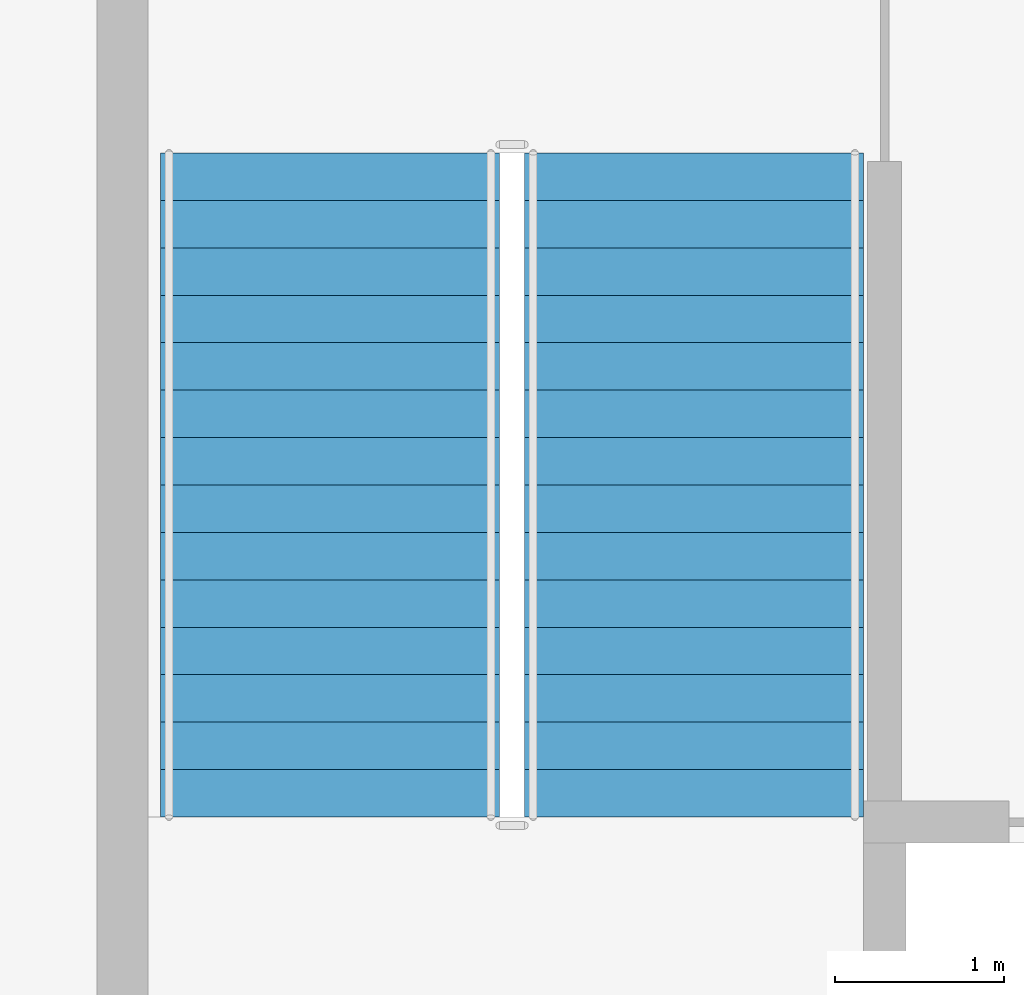
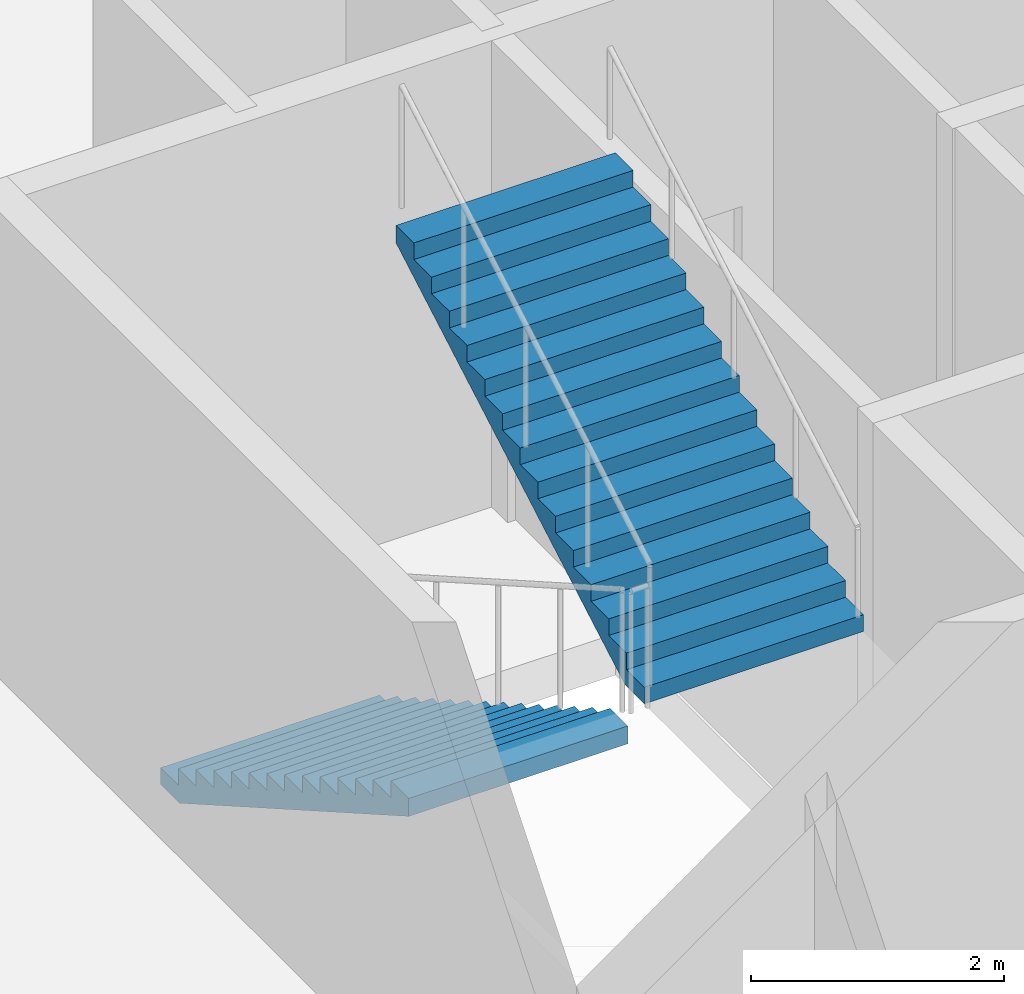
# One storey, part 4 of 9: 2 stair flights, 1 element without a shape of its own.
"""IFC4 building model written with IfcOpenShell, lengths in metres."""

from ifc_helpers import new_model, si_unit, direction, frame, origin, place, context, subcontext, project, spatial, polygons, material, type_object, element, aggregate, save


model = new_model("IFC4")

# Units and contexts
model_context = context("Model", 3, precision=1e-05, world=origin(), true_north=direction((0.0, 1.0)))
body_context = subcontext(model_context, "Body", "Model", "MODEL_VIEW")
ifc_project = project(units=[si_unit("LENGTHUNIT", "METRE"), si_unit("AREAUNIT", "SQUARE_METRE"), si_unit("VOLUMEUNIT", "CUBIC_METRE"), si_unit("PLANEANGLEUNIT", "RADIAN"), si_unit("MASSUNIT", "GRAM", prefix="KILO")], contexts=[model_context])

# Site, building, storey
site_placement = place(None, origin())
site = spatial("IfcSite", under=ifc_project, at=site_placement, CompositionType="ELEMENT")
building_placement = place(site_placement, origin())
building = spatial("IfcBuilding", under=site, at=building_placement, Name="Caravel Reach Hotel and Residences", CompositionType="ELEMENT")
storey_placement = place(building_placement, frame((0.0, 0.0, 278.60009765625)))
storey = spatial("IfcBuildingStorey", under=building, at=storey_placement, Name="L71", CompositionType="ELEMENT", Elevation=278.60009765625)

# Stair, stair flights
ifc_material_1 = material(Name="Concrete C40", Category="concrete")
stair_type = type_object("IfcStairType", Name="Core stair", PredefinedType="HALF_TURN_STAIR", material=ifc_material_1)
stair_placement = place(storey_placement, origin())
stair = element("IfcStair", 1, at=stair_placement, inside=storey, type_object=stair_type, Name="L71 Exit stair A", PredefinedType="HALF_TURN_STAIR")
ifc_material_2 = material(Name="Concrete C40", Category="concrete")
stair_flight_type = type_object("IfcStairFlightType", Name="Core stair flight", PredefinedType="STRAIGHT", material=ifc_material_2)
stair_flight_1_placement = place(storey_placement, frame((19.22509765625, 29.35009765625, 0.0), z_axis=(0.0, 0.0, 1.0), x_axis=(0.0, -1.0, 0.0)))
stair_flight_1 = element("IfcStairFlight", 2, at=stair_flight_1_placement, type_object=stair_flight_type, Name="ST-A flight 1", NumberOfRisers=15, NumberOfTreads=14, PredefinedType="STRAIGHT", RiserHeight=0.16, TreadLength=0.28, context=body_context, shape_type="Tessellation", body=[
    polygons([(0.30213783309663755, 1.0, 0.0), (0.30213783309663755, 0.6666666666666667, 0.0), (0.30213783309663755, 0.33333333333333337, 0.0), (0.30213783309663755, 0.0, 0.0), (0.30213783309663755, -0.33333333333333326, 0.0), (0.30213783309663755, -0.6666666666666667, 0.0), (0.30213783309663755, -1.0, 0.0), (3.9210000000000003, 1.0, 2.0673498096590643), (3.9210000000000003, 0.6666666666666667, 2.0673498096590643), (3.9210000000000003, 0.33333333333333337, 2.0673498096590643), (3.9210000000000003, 0.0, 2.0673498096590643), (3.9210000000000003, -0.33333333333333326, 2.0673498096590643), (3.9210000000000003, -0.6666666666666667, 2.0673498096590643), (3.9210000000000003, -1.0, 2.0673498096590643), (3.9210000000000003, 1.0, 2.24), (3.9210000000000003, 0.6666666666666667, 2.24), (3.9210000000000003, 0.33333333333333337, 2.24), (3.9210000000000003, 0.0, 2.24), (3.9210000000000003, -0.33333333333333326, 2.24), (3.9210000000000003, -0.6666666666666667, 2.24), (3.9210000000000003, -1.0, 2.24), (3.6400000000000006, 1.0, 2.24), (3.6400000000000006, 0.6666666666666667, 2.24), (3.6400000000000006, 0.33333333333333337, 2.24), (3.6400000000000006, 0.0, 2.24), (3.6400000000000006, -0.33333333333333326, 2.24), (3.6400000000000006, -0.6666666666666667, 2.24), (3.6400000000000006, -1.0, 2.24), (3.6400000000000006, 1.0, 2.08), (3.6400000000000006, 0.6666666666666667, 2.08), (3.6400000000000006, 0.33333333333333337, 2.08), (3.6400000000000006, 0.0, 2.08), (3.6400000000000006, -0.33333333333333326, 2.08), (3.6400000000000006, -0.6666666666666667, 2.08), (3.6400000000000006, -1.0, 2.08), (3.3600000000000003, 1.0, 2.08), (3.3600000000000003, 0.6666666666666667, 2.08), (3.3600000000000003, 0.33333333333333337, 2.08), (3.3600000000000003, 0.0, 2.08), (3.3600000000000003, -0.33333333333333326, 2.08), (3.3600000000000003, -0.6666666666666667, 2.08), (3.3600000000000003, -1.0, 2.08), (3.3600000000000003, 1.0, 1.92), (3.3600000000000003, 0.6666666666666667, 1.92), (3.3600000000000003, 0.33333333333333337, 1.92), (3.3600000000000003, 0.0, 1.92), (3.3600000000000003, -0.33333333333333326, 1.92), (3.3600000000000003, -0.6666666666666667, 1.92), (3.3600000000000003, -1.0, 1.92), (3.08, 1.0, 1.92), (3.08, 0.6666666666666667, 1.92), (3.08, 0.33333333333333337, 1.92), (3.08, 0.0, 1.92), (3.08, -0.33333333333333326, 1.92), (3.08, -0.6666666666666667, 1.92), (3.08, -1.0, 1.92), (3.08, 1.0, 1.76), (3.08, 0.6666666666666667, 1.76), (3.08, 0.33333333333333337, 1.76), (3.08, 0.0, 1.76), (3.08, -0.33333333333333326, 1.76), (3.08, -0.6666666666666667, 1.76), (3.08, -1.0, 1.76), (2.8000000000000003, 1.0, 1.76), (2.8000000000000003, 0.6666666666666667, 1.76), (2.8000000000000003, 0.33333333333333337, 1.76), (2.8000000000000003, 0.0, 1.76), (2.8000000000000003, -0.33333333333333326, 1.76), (2.8000000000000003, -0.6666666666666667, 1.76), (2.8000000000000003, -1.0, 1.76), (2.8000000000000003, 1.0, 1.6), (2.8000000000000003, 0.6666666666666667, 1.6), (2.8000000000000003, 0.33333333333333337, 1.6), (2.8000000000000003, 0.0, 1.6), (2.8000000000000003, -0.33333333333333326, 1.6), (2.8000000000000003, -0.6666666666666667, 1.6), (2.8000000000000003, -1.0, 1.6), (2.5200000000000005, 1.0, 1.6), (2.5200000000000005, 0.6666666666666667, 1.6), (2.5200000000000005, 0.33333333333333337, 1.6), (2.5200000000000005, 0.0, 1.6), (2.5200000000000005, -0.33333333333333326, 1.6), (2.5200000000000005, -0.6666666666666667, 1.6), (2.5200000000000005, -1.0, 1.6), (2.5200000000000005, 1.0, 1.44), (2.5200000000000005, 0.6666666666666667, 1.44), (2.5200000000000005, 0.33333333333333337, 1.44), (2.5200000000000005, 0.0, 1.44), (2.5200000000000005, -0.33333333333333326, 1.44), (2.5200000000000005, -0.6666666666666667, 1.44), (2.5200000000000005, -1.0, 1.44), (2.24, 1.0, 1.44), (2.24, 0.6666666666666667, 1.44), (2.24, 0.33333333333333337, 1.44), (2.24, 0.0, 1.44), (2.24, -0.33333333333333326, 1.44), (2.24, -0.6666666666666667, 1.44), (2.24, -1.0, 1.44), (2.24, 1.0, 1.28), (2.24, 0.6666666666666667, 1.28), (2.24, 0.33333333333333337, 1.28), (2.24, 0.0, 1.28), (2.24, -0.33333333333333326, 1.28), (2.24, -0.6666666666666667, 1.28), (2.24, -1.0, 1.28), (1.9600000000000002, 1.0, 1.28), (1.9600000000000002, 0.6666666666666667, 1.28), (1.9600000000000002, 0.33333333333333337, 1.28), (1.9600000000000002, 0.0, 1.28), (1.9600000000000002, -0.33333333333333326, 1.28), (1.9600000000000002, -0.6666666666666667, 1.28), (1.9600000000000002, -1.0, 1.28), (1.9600000000000002, 1.0, 1.12), (1.9600000000000002, 0.6666666666666667, 1.12), (1.9600000000000002, 0.33333333333333337, 1.12), (1.9600000000000002, 0.0, 1.12), (1.9600000000000002, -0.33333333333333326, 1.12), (1.9600000000000002, -0.6666666666666667, 1.12), (1.9600000000000002, -1.0, 1.12), (1.6800000000000002, 1.0, 1.12), (1.6800000000000002, 0.6666666666666667, 1.12), (1.6800000000000002, 0.33333333333333337, 1.12), (1.6800000000000002, 0.0, 1.12), (1.6800000000000002, -0.33333333333333326, 1.12), (1.6800000000000002, -0.6666666666666667, 1.12), (1.6800000000000002, -1.0, 1.12), (1.6800000000000002, 1.0, 0.96), (1.6800000000000002, 0.6666666666666667, 0.96), (1.6800000000000002, 0.33333333333333337, 0.96), (1.6800000000000002, 0.0, 0.96), (1.6800000000000002, -0.33333333333333326, 0.96), (1.6800000000000002, -0.6666666666666667, 0.96), (1.6800000000000002, -1.0, 0.96), (1.4000000000000001, 1.0, 0.96), (1.4000000000000001, 0.6666666666666667, 0.96), (1.4000000000000001, 0.33333333333333337, 0.96), (1.4000000000000001, 0.0, 0.96), (1.4000000000000001, -0.33333333333333326, 0.96), (1.4000000000000001, -0.6666666666666667, 0.96), (1.4000000000000001, -1.0, 0.96), (1.4000000000000001, 1.0, 0.8), (1.4000000000000001, 0.6666666666666667, 0.8), (1.4000000000000001, 0.33333333333333337, 0.8), (1.4000000000000001, 0.0, 0.8), (1.4000000000000001, -0.33333333333333326, 0.8), (1.4000000000000001, -0.6666666666666667, 0.8), (1.4000000000000001, -1.0, 0.8), (1.12, 1.0, 0.8), (1.12, 0.6666666666666667, 0.8), (1.12, 0.33333333333333337, 0.8), (1.12, 0.0, 0.8), (1.12, -0.33333333333333326, 0.8), (1.12, -0.6666666666666667, 0.8), (1.12, -1.0, 0.8), (1.12, 1.0, 0.64), (1.12, 0.6666666666666667, 0.64), (1.12, 0.33333333333333337, 0.64), (1.12, 0.0, 0.64), (1.12, -0.33333333333333326, 0.64), (1.12, -0.6666666666666667, 0.64), (1.12, -1.0, 0.64), (0.8400000000000001, 1.0, 0.64), (0.8400000000000001, 0.6666666666666667, 0.64), (0.8400000000000001, 0.33333333333333337, 0.64), (0.8400000000000001, 0.0, 0.64), (0.8400000000000001, -0.33333333333333326, 0.64), (0.8400000000000001, -0.6666666666666667, 0.64), (0.8400000000000001, -1.0, 0.64), (0.8400000000000001, 1.0, 0.48), (0.8400000000000001, 0.6666666666666667, 0.48), (0.8400000000000001, 0.33333333333333337, 0.48), (0.8400000000000001, 0.0, 0.48), (0.8400000000000001, -0.33333333333333326, 0.48), (0.8400000000000001, -0.6666666666666667, 0.48), (0.8400000000000001, -1.0, 0.48), (0.56, 1.0, 0.48), (0.56, 0.6666666666666667, 0.48), (0.56, 0.33333333333333337, 0.48), (0.56, 0.0, 0.48), (0.56, -0.33333333333333326, 0.48), (0.56, -0.6666666666666667, 0.48), (0.56, -1.0, 0.48), (0.56, 1.0, 0.32), (0.56, 0.6666666666666667, 0.32), (0.56, 0.33333333333333337, 0.32), (0.56, 0.0, 0.32), (0.56, -0.33333333333333326, 0.32), (0.56, -0.6666666666666667, 0.32), (0.56, -1.0, 0.32), (0.28, 1.0, 0.32), (0.28, 0.6666666666666667, 0.32), (0.28, 0.33333333333333337, 0.32), (0.28, 0.0, 0.32), (0.28, -0.33333333333333326, 0.32), (0.28, -0.6666666666666667, 0.32), (0.28, -1.0, 0.32), (0.28, 1.0, 0.16), (0.28, 0.6666666666666667, 0.16), (0.28, 0.33333333333333337, 0.16), (0.28, 0.0, 0.16), (0.28, -0.33333333333333326, 0.16), (0.28, -0.6666666666666667, 0.16), (0.28, -1.0, 0.16), (-0.001, 1.0, 0.16), (-0.001, 0.6666666666666667, 0.16), (-0.001, 0.33333333333333337, 0.16), (-0.001, 0.0, 0.16), (-0.001, -0.33333333333333326, 0.16), (-0.001, -0.6666666666666667, 0.16), (-0.001, -1.0, 0.16), (-0.001, 1.0, 0.0), (-0.001, 0.6666666666666667, 0.0), (-0.001, 0.33333333333333337, 0.0), (-0.001, 0.0, 0.0), (-0.001, -0.33333333333333326, 0.0), (-0.001, -0.6666666666666667, 0.0), (-0.001, -1.0, 0.0)], [[[211, 204, 197, 190, 183, 176, 169, 162, 155, 148, 141, 134, 127, 120, 113, 106, 99, 92, 85, 78, 71, 64, 57, 50, 43, 36, 29, 22, 15, 8, 1]], [[7, 14, 21, 28, 35, 42, 49, 56, 63, 70, 77, 84, 91, 98, 105, 112, 119, 126, 133, 140, 147, 154, 161, 168, 175, 182, 189, 196, 203, 210, 217]], [[1, 8, 9, 2]], [[2, 9, 10, 3]], [[3, 10, 11, 4]], [[4, 11, 12, 5]], [[5, 12, 13, 6]], [[6, 13, 14, 7]], [[8, 15, 16, 9]], [[9, 16, 17, 10]], [[10, 17, 18, 11]], [[11, 18, 19, 12]], [[12, 19, 20, 13]], [[13, 20, 21, 14]], [[15, 22, 23, 16]], [[16, 23, 24, 17]], [[17, 24, 25, 18]], [[18, 25, 26, 19]], [[19, 26, 27, 20]], [[20, 27, 28, 21]], [[22, 29, 30, 23]], [[23, 30, 31, 24]], [[24, 31, 32, 25]], [[25, 32, 33, 26]], [[26, 33, 34, 27]], [[27, 34, 35, 28]], [[29, 36, 37, 30]], [[30, 37, 38, 31]], [[31, 38, 39, 32]], [[32, 39, 40, 33]], [[33, 40, 41, 34]], [[34, 41, 42, 35]], [[36, 43, 44, 37]], [[37, 44, 45, 38]], [[38, 45, 46, 39]], [[39, 46, 47, 40]], [[40, 47, 48, 41]], [[41, 48, 49, 42]], [[43, 50, 51, 44]], [[44, 51, 52, 45]], [[45, 52, 53, 46]], [[46, 53, 54, 47]], [[47, 54, 55, 48]], [[48, 55, 56, 49]], [[50, 57, 58, 51]], [[51, 58, 59, 52]], [[52, 59, 60, 53]], [[53, 60, 61, 54]], [[54, 61, 62, 55]], [[55, 62, 63, 56]], [[57, 64, 65, 58]], [[58, 65, 66, 59]], [[59, 66, 67, 60]], [[60, 67, 68, 61]], [[61, 68, 69, 62]], [[62, 69, 70, 63]], [[64, 71, 72, 65]], [[65, 72, 73, 66]], [[66, 73, 74, 67]], [[67, 74, 75, 68]], [[68, 75, 76, 69]], [[69, 76, 77, 70]], [[71, 78, 79, 72]], [[72, 79, 80, 73]], [[73, 80, 81, 74]], [[74, 81, 82, 75]], [[75, 82, 83, 76]], [[76, 83, 84, 77]], [[78, 85, 86, 79]], [[79, 86, 87, 80]], [[80, 87, 88, 81]], [[81, 88, 89, 82]], [[82, 89, 90, 83]], [[83, 90, 91, 84]], [[85, 92, 93, 86]], [[86, 93, 94, 87]], [[87, 94, 95, 88]], [[88, 95, 96, 89]], [[89, 96, 97, 90]], [[90, 97, 98, 91]], [[92, 99, 100, 93]], [[93, 100, 101, 94]], [[94, 101, 102, 95]], [[95, 102, 103, 96]], [[96, 103, 104, 97]], [[97, 104, 105, 98]], [[99, 106, 107, 100]], [[100, 107, 108, 101]], [[101, 108, 109, 102]], [[102, 109, 110, 103]], [[103, 110, 111, 104]], [[104, 111, 112, 105]], [[106, 113, 114, 107]], [[107, 114, 115, 108]], [[108, 115, 116, 109]], [[109, 116, 117, 110]], [[110, 117, 118, 111]], [[111, 118, 119, 112]], [[113, 120, 121, 114]], [[114, 121, 122, 115]], [[115, 122, 123, 116]], [[116, 123, 124, 117]], [[117, 124, 125, 118]], [[118, 125, 126, 119]], [[120, 127, 128, 121]], [[121, 128, 129, 122]], [[122, 129, 130, 123]], [[123, 130, 131, 124]], [[124, 131, 132, 125]], [[125, 132, 133, 126]], [[127, 134, 135, 128]], [[128, 135, 136, 129]], [[129, 136, 137, 130]], [[130, 137, 138, 131]], [[131, 138, 139, 132]], [[132, 139, 140, 133]], [[134, 141, 142, 135]], [[135, 142, 143, 136]], [[136, 143, 144, 137]], [[137, 144, 145, 138]], [[138, 145, 146, 139]], [[139, 146, 147, 140]], [[141, 148, 149, 142]], [[142, 149, 150, 143]], [[143, 150, 151, 144]], [[144, 151, 152, 145]], [[145, 152, 153, 146]], [[146, 153, 154, 147]], [[148, 155, 156, 149]], [[149, 156, 157, 150]], [[150, 157, 158, 151]], [[151, 158, 159, 152]], [[152, 159, 160, 153]], [[153, 160, 161, 154]], [[155, 162, 163, 156]], [[156, 163, 164, 157]], [[157, 164, 165, 158]], [[158, 165, 166, 159]], [[159, 166, 167, 160]], [[160, 167, 168, 161]], [[162, 169, 170, 163]], [[163, 170, 171, 164]], [[164, 171, 172, 165]], [[165, 172, 173, 166]], [[166, 173, 174, 167]], [[167, 174, 175, 168]], [[169, 176, 177, 170]], [[170, 177, 178, 171]], [[171, 178, 179, 172]], [[172, 179, 180, 173]], [[173, 180, 181, 174]], [[174, 181, 182, 175]], [[176, 183, 184, 177]], [[177, 184, 185, 178]], [[178, 185, 186, 179]], [[179, 186, 187, 180]], [[180, 187, 188, 181]], [[181, 188, 189, 182]], [[183, 190, 191, 184]], [[184, 191, 192, 185]], [[185, 192, 193, 186]], [[186, 193, 194, 187]], [[187, 194, 195, 188]], [[188, 195, 196, 189]], [[190, 197, 198, 191]], [[191, 198, 199, 192]], [[192, 199, 200, 193]], [[193, 200, 201, 194]], [[194, 201, 202, 195]], [[195, 202, 203, 196]], [[197, 204, 205, 198]], [[198, 205, 206, 199]], [[199, 206, 207, 200]], [[200, 207, 208, 201]], [[201, 208, 209, 202]], [[202, 209, 210, 203]], [[204, 211, 212, 205]], [[205, 212, 213, 206]], [[206, 213, 214, 207]], [[207, 214, 215, 208]], [[208, 215, 216, 209]], [[209, 216, 217, 210]], [[211, 1, 2, 212]], [[212, 2, 3, 213]], [[213, 3, 4, 214]], [[214, 4, 5, 215]], [[215, 5, 6, 216]], [[216, 6, 7, 217]]], closed=True),
])
stair_flight_2_placement = place(storey_placement, frame((21.375, 25.429931640625, 2.39990234375), z_axis=(0.0, 0.0, 1.0), x_axis=(0.0, 1.0, 0.0)))
stair_flight_2 = element("IfcStairFlight", 3, at=stair_flight_2_placement, type_object=stair_flight_type, Name="ST-A flight 2", NumberOfRisers=15, NumberOfTreads=14, PredefinedType="STRAIGHT", RiserHeight=0.16, TreadLength=0.28, context=body_context, shape_type="Tessellation", body=[
    polygons([(0.30213783309663755, 1.0, 0.0), (0.30213783309663755, 0.6666666666666667, 0.0), (0.30213783309663755, 0.33333333333333337, 0.0), (0.30213783309663755, 0.0, 0.0), (0.30213783309663755, -0.33333333333333326, 0.0), (0.30213783309663755, -0.6666666666666667, 0.0), (0.30213783309663755, -1.0, 0.0), (3.9210000000000003, 1.0, 2.0673498096590643), (3.9210000000000003, 0.6666666666666667, 2.0673498096590643), (3.9210000000000003, 0.33333333333333337, 2.0673498096590643), (3.9210000000000003, 0.0, 2.0673498096590643), (3.9210000000000003, -0.33333333333333326, 2.0673498096590643), (3.9210000000000003, -0.6666666666666667, 2.0673498096590643), (3.9210000000000003, -1.0, 2.0673498096590643), (3.9210000000000003, 1.0, 2.24), (3.9210000000000003, 0.6666666666666667, 2.24), (3.9210000000000003, 0.33333333333333337, 2.24), (3.9210000000000003, 0.0, 2.24), (3.9210000000000003, -0.33333333333333326, 2.24), (3.9210000000000003, -0.6666666666666667, 2.24), (3.9210000000000003, -1.0, 2.24), (3.6400000000000006, 1.0, 2.24), (3.6400000000000006, 0.6666666666666667, 2.24), (3.6400000000000006, 0.33333333333333337, 2.24), (3.6400000000000006, 0.0, 2.24), (3.6400000000000006, -0.33333333333333326, 2.24), (3.6400000000000006, -0.6666666666666667, 2.24), (3.6400000000000006, -1.0, 2.24), (3.6400000000000006, 1.0, 2.08), (3.6400000000000006, 0.6666666666666667, 2.08), (3.6400000000000006, 0.33333333333333337, 2.08), (3.6400000000000006, 0.0, 2.08), (3.6400000000000006, -0.33333333333333326, 2.08), (3.6400000000000006, -0.6666666666666667, 2.08), (3.6400000000000006, -1.0, 2.08), (3.3600000000000003, 1.0, 2.08), (3.3600000000000003, 0.6666666666666667, 2.08), (3.3600000000000003, 0.33333333333333337, 2.08), (3.3600000000000003, 0.0, 2.08), (3.3600000000000003, -0.33333333333333326, 2.08), (3.3600000000000003, -0.6666666666666667, 2.08), (3.3600000000000003, -1.0, 2.08), (3.3600000000000003, 1.0, 1.92), (3.3600000000000003, 0.6666666666666667, 1.92), (3.3600000000000003, 0.33333333333333337, 1.92), (3.3600000000000003, 0.0, 1.92), (3.3600000000000003, -0.33333333333333326, 1.92), (3.3600000000000003, -0.6666666666666667, 1.92), (3.3600000000000003, -1.0, 1.92), (3.08, 1.0, 1.92), (3.08, 0.6666666666666667, 1.92), (3.08, 0.33333333333333337, 1.92), (3.08, 0.0, 1.92), (3.08, -0.33333333333333326, 1.92), (3.08, -0.6666666666666667, 1.92), (3.08, -1.0, 1.92), (3.08, 1.0, 1.76), (3.08, 0.6666666666666667, 1.76), (3.08, 0.33333333333333337, 1.76), (3.08, 0.0, 1.76), (3.08, -0.33333333333333326, 1.76), (3.08, -0.6666666666666667, 1.76), (3.08, -1.0, 1.76), (2.8000000000000003, 1.0, 1.76), (2.8000000000000003, 0.6666666666666667, 1.76), (2.8000000000000003, 0.33333333333333337, 1.76), (2.8000000000000003, 0.0, 1.76), (2.8000000000000003, -0.33333333333333326, 1.76), (2.8000000000000003, -0.6666666666666667, 1.76), (2.8000000000000003, -1.0, 1.76), (2.8000000000000003, 1.0, 1.6), (2.8000000000000003, 0.6666666666666667, 1.6), (2.8000000000000003, 0.33333333333333337, 1.6), (2.8000000000000003, 0.0, 1.6), (2.8000000000000003, -0.33333333333333326, 1.6), (2.8000000000000003, -0.6666666666666667, 1.6), (2.8000000000000003, -1.0, 1.6), (2.5200000000000005, 1.0, 1.6), (2.5200000000000005, 0.6666666666666667, 1.6), (2.5200000000000005, 0.33333333333333337, 1.6), (2.5200000000000005, 0.0, 1.6), (2.5200000000000005, -0.33333333333333326, 1.6), (2.5200000000000005, -0.6666666666666667, 1.6), (2.5200000000000005, -1.0, 1.6), (2.5200000000000005, 1.0, 1.44), (2.5200000000000005, 0.6666666666666667, 1.44), (2.5200000000000005, 0.33333333333333337, 1.44), (2.5200000000000005, 0.0, 1.44), (2.5200000000000005, -0.33333333333333326, 1.44), (2.5200000000000005, -0.6666666666666667, 1.44), (2.5200000000000005, -1.0, 1.44), (2.24, 1.0, 1.44), (2.24, 0.6666666666666667, 1.44), (2.24, 0.33333333333333337, 1.44), (2.24, 0.0, 1.44), (2.24, -0.33333333333333326, 1.44), (2.24, -0.6666666666666667, 1.44), (2.24, -1.0, 1.44), (2.24, 1.0, 1.28), (2.24, 0.6666666666666667, 1.28), (2.24, 0.33333333333333337, 1.28), (2.24, 0.0, 1.28), (2.24, -0.33333333333333326, 1.28), (2.24, -0.6666666666666667, 1.28), (2.24, -1.0, 1.28), (1.9600000000000002, 1.0, 1.28), (1.9600000000000002, 0.6666666666666667, 1.28), (1.9600000000000002, 0.33333333333333337, 1.28), (1.9600000000000002, 0.0, 1.28), (1.9600000000000002, -0.33333333333333326, 1.28), (1.9600000000000002, -0.6666666666666667, 1.28), (1.9600000000000002, -1.0, 1.28), (1.9600000000000002, 1.0, 1.12), (1.9600000000000002, 0.6666666666666667, 1.12), (1.9600000000000002, 0.33333333333333337, 1.12), (1.9600000000000002, 0.0, 1.12), (1.9600000000000002, -0.33333333333333326, 1.12), (1.9600000000000002, -0.6666666666666667, 1.12), (1.9600000000000002, -1.0, 1.12), (1.6800000000000002, 1.0, 1.12), (1.6800000000000002, 0.6666666666666667, 1.12), (1.6800000000000002, 0.33333333333333337, 1.12), (1.6800000000000002, 0.0, 1.12), (1.6800000000000002, -0.33333333333333326, 1.12), (1.6800000000000002, -0.6666666666666667, 1.12), (1.6800000000000002, -1.0, 1.12), (1.6800000000000002, 1.0, 0.96), (1.6800000000000002, 0.6666666666666667, 0.96), (1.6800000000000002, 0.33333333333333337, 0.96), (1.6800000000000002, 0.0, 0.96), (1.6800000000000002, -0.33333333333333326, 0.96), (1.6800000000000002, -0.6666666666666667, 0.96), (1.6800000000000002, -1.0, 0.96), (1.4000000000000001, 1.0, 0.96), (1.4000000000000001, 0.6666666666666667, 0.96), (1.4000000000000001, 0.33333333333333337, 0.96), (1.4000000000000001, 0.0, 0.96), (1.4000000000000001, -0.33333333333333326, 0.96), (1.4000000000000001, -0.6666666666666667, 0.96), (1.4000000000000001, -1.0, 0.96), (1.4000000000000001, 1.0, 0.8), (1.4000000000000001, 0.6666666666666667, 0.8), (1.4000000000000001, 0.33333333333333337, 0.8), (1.4000000000000001, 0.0, 0.8), (1.4000000000000001, -0.33333333333333326, 0.8), (1.4000000000000001, -0.6666666666666667, 0.8), (1.4000000000000001, -1.0, 0.8), (1.12, 1.0, 0.8), (1.12, 0.6666666666666667, 0.8), (1.12, 0.33333333333333337, 0.8), (1.12, 0.0, 0.8), (1.12, -0.33333333333333326, 0.8), (1.12, -0.6666666666666667, 0.8), (1.12, -1.0, 0.8), (1.12, 1.0, 0.64), (1.12, 0.6666666666666667, 0.64), (1.12, 0.33333333333333337, 0.64), (1.12, 0.0, 0.64), (1.12, -0.33333333333333326, 0.64), (1.12, -0.6666666666666667, 0.64), (1.12, -1.0, 0.64), (0.8400000000000001, 1.0, 0.64), (0.8400000000000001, 0.6666666666666667, 0.64), (0.8400000000000001, 0.33333333333333337, 0.64), (0.8400000000000001, 0.0, 0.64), (0.8400000000000001, -0.33333333333333326, 0.64), (0.8400000000000001, -0.6666666666666667, 0.64), (0.8400000000000001, -1.0, 0.64), (0.8400000000000001, 1.0, 0.48), (0.8400000000000001, 0.6666666666666667, 0.48), (0.8400000000000001, 0.33333333333333337, 0.48), (0.8400000000000001, 0.0, 0.48), (0.8400000000000001, -0.33333333333333326, 0.48), (0.8400000000000001, -0.6666666666666667, 0.48), (0.8400000000000001, -1.0, 0.48), (0.56, 1.0, 0.48), (0.56, 0.6666666666666667, 0.48), (0.56, 0.33333333333333337, 0.48), (0.56, 0.0, 0.48), (0.56, -0.33333333333333326, 0.48), (0.56, -0.6666666666666667, 0.48), (0.56, -1.0, 0.48), (0.56, 1.0, 0.32), (0.56, 0.6666666666666667, 0.32), (0.56, 0.33333333333333337, 0.32), (0.56, 0.0, 0.32), (0.56, -0.33333333333333326, 0.32), (0.56, -0.6666666666666667, 0.32), (0.56, -1.0, 0.32), (0.28, 1.0, 0.32), (0.28, 0.6666666666666667, 0.32), (0.28, 0.33333333333333337, 0.32), (0.28, 0.0, 0.32), (0.28, -0.33333333333333326, 0.32), (0.28, -0.6666666666666667, 0.32), (0.28, -1.0, 0.32), (0.28, 1.0, 0.16), (0.28, 0.6666666666666667, 0.16), (0.28, 0.33333333333333337, 0.16), (0.28, 0.0, 0.16), (0.28, -0.33333333333333326, 0.16), (0.28, -0.6666666666666667, 0.16), (0.28, -1.0, 0.16), (-0.001, 1.0, 0.16), (-0.001, 0.6666666666666667, 0.16), (-0.001, 0.33333333333333337, 0.16), (-0.001, 0.0, 0.16), (-0.001, -0.33333333333333326, 0.16), (-0.001, -0.6666666666666667, 0.16), (-0.001, -1.0, 0.16), (-0.001, 1.0, 0.0), (-0.001, 0.6666666666666667, 0.0), (-0.001, 0.33333333333333337, 0.0), (-0.001, 0.0, 0.0), (-0.001, -0.33333333333333326, 0.0), (-0.001, -0.6666666666666667, 0.0), (-0.001, -1.0, 0.0)], [[[211, 204, 197, 190, 183, 176, 169, 162, 155, 148, 141, 134, 127, 120, 113, 106, 99, 92, 85, 78, 71, 64, 57, 50, 43, 36, 29, 22, 15, 8, 1]], [[7, 14, 21, 28, 35, 42, 49, 56, 63, 70, 77, 84, 91, 98, 105, 112, 119, 126, 133, 140, 147, 154, 161, 168, 175, 182, 189, 196, 203, 210, 217]], [[1, 8, 9, 2]], [[2, 9, 10, 3]], [[3, 10, 11, 4]], [[4, 11, 12, 5]], [[5, 12, 13, 6]], [[6, 13, 14, 7]], [[8, 15, 16, 9]], [[9, 16, 17, 10]], [[10, 17, 18, 11]], [[11, 18, 19, 12]], [[12, 19, 20, 13]], [[13, 20, 21, 14]], [[15, 22, 23, 16]], [[16, 23, 24, 17]], [[17, 24, 25, 18]], [[18, 25, 26, 19]], [[19, 26, 27, 20]], [[20, 27, 28, 21]], [[22, 29, 30, 23]], [[23, 30, 31, 24]], [[24, 31, 32, 25]], [[25, 32, 33, 26]], [[26, 33, 34, 27]], [[27, 34, 35, 28]], [[29, 36, 37, 30]], [[30, 37, 38, 31]], [[31, 38, 39, 32]], [[32, 39, 40, 33]], [[33, 40, 41, 34]], [[34, 41, 42, 35]], [[36, 43, 44, 37]], [[37, 44, 45, 38]], [[38, 45, 46, 39]], [[39, 46, 47, 40]], [[40, 47, 48, 41]], [[41, 48, 49, 42]], [[43, 50, 51, 44]], [[44, 51, 52, 45]], [[45, 52, 53, 46]], [[46, 53, 54, 47]], [[47, 54, 55, 48]], [[48, 55, 56, 49]], [[50, 57, 58, 51]], [[51, 58, 59, 52]], [[52, 59, 60, 53]], [[53, 60, 61, 54]], [[54, 61, 62, 55]], [[55, 62, 63, 56]], [[57, 64, 65, 58]], [[58, 65, 66, 59]], [[59, 66, 67, 60]], [[60, 67, 68, 61]], [[61, 68, 69, 62]], [[62, 69, 70, 63]], [[64, 71, 72, 65]], [[65, 72, 73, 66]], [[66, 73, 74, 67]], [[67, 74, 75, 68]], [[68, 75, 76, 69]], [[69, 76, 77, 70]], [[71, 78, 79, 72]], [[72, 79, 80, 73]], [[73, 80, 81, 74]], [[74, 81, 82, 75]], [[75, 82, 83, 76]], [[76, 83, 84, 77]], [[78, 85, 86, 79]], [[79, 86, 87, 80]], [[80, 87, 88, 81]], [[81, 88, 89, 82]], [[82, 89, 90, 83]], [[83, 90, 91, 84]], [[85, 92, 93, 86]], [[86, 93, 94, 87]], [[87, 94, 95, 88]], [[88, 95, 96, 89]], [[89, 96, 97, 90]], [[90, 97, 98, 91]], [[92, 99, 100, 93]], [[93, 100, 101, 94]], [[94, 101, 102, 95]], [[95, 102, 103, 96]], [[96, 103, 104, 97]], [[97, 104, 105, 98]], [[99, 106, 107, 100]], [[100, 107, 108, 101]], [[101, 108, 109, 102]], [[102, 109, 110, 103]], [[103, 110, 111, 104]], [[104, 111, 112, 105]], [[106, 113, 114, 107]], [[107, 114, 115, 108]], [[108, 115, 116, 109]], [[109, 116, 117, 110]], [[110, 117, 118, 111]], [[111, 118, 119, 112]], [[113, 120, 121, 114]], [[114, 121, 122, 115]], [[115, 122, 123, 116]], [[116, 123, 124, 117]], [[117, 124, 125, 118]], [[118, 125, 126, 119]], [[120, 127, 128, 121]], [[121, 128, 129, 122]], [[122, 129, 130, 123]], [[123, 130, 131, 124]], [[124, 131, 132, 125]], [[125, 132, 133, 126]], [[127, 134, 135, 128]], [[128, 135, 136, 129]], [[129, 136, 137, 130]], [[130, 137, 138, 131]], [[131, 138, 139, 132]], [[132, 139, 140, 133]], [[134, 141, 142, 135]], [[135, 142, 143, 136]], [[136, 143, 144, 137]], [[137, 144, 145, 138]], [[138, 145, 146, 139]], [[139, 146, 147, 140]], [[141, 148, 149, 142]], [[142, 149, 150, 143]], [[143, 150, 151, 144]], [[144, 151, 152, 145]], [[145, 152, 153, 146]], [[146, 153, 154, 147]], [[148, 155, 156, 149]], [[149, 156, 157, 150]], [[150, 157, 158, 151]], [[151, 158, 159, 152]], [[152, 159, 160, 153]], [[153, 160, 161, 154]], [[155, 162, 163, 156]], [[156, 163, 164, 157]], [[157, 164, 165, 158]], [[158, 165, 166, 159]], [[159, 166, 167, 160]], [[160, 167, 168, 161]], [[162, 169, 170, 163]], [[163, 170, 171, 164]], [[164, 171, 172, 165]], [[165, 172, 173, 166]], [[166, 173, 174, 167]], [[167, 174, 175, 168]], [[169, 176, 177, 170]], [[170, 177, 178, 171]], [[171, 178, 179, 172]], [[172, 179, 180, 173]], [[173, 180, 181, 174]], [[174, 181, 182, 175]], [[176, 183, 184, 177]], [[177, 184, 185, 178]], [[178, 185, 186, 179]], [[179, 186, 187, 180]], [[180, 187, 188, 181]], [[181, 188, 189, 182]], [[183, 190, 191, 184]], [[184, 191, 192, 185]], [[185, 192, 193, 186]], [[186, 193, 194, 187]], [[187, 194, 195, 188]], [[188, 195, 196, 189]], [[190, 197, 198, 191]], [[191, 198, 199, 192]], [[192, 199, 200, 193]], [[193, 200, 201, 194]], [[194, 201, 202, 195]], [[195, 202, 203, 196]], [[197, 204, 205, 198]], [[198, 205, 206, 199]], [[199, 206, 207, 200]], [[200, 207, 208, 201]], [[201, 208, 209, 202]], [[202, 209, 210, 203]], [[204, 211, 212, 205]], [[205, 212, 213, 206]], [[206, 213, 214, 207]], [[207, 214, 215, 208]], [[208, 215, 216, 209]], [[209, 216, 217, 210]], [[211, 1, 2, 212]], [[212, 2, 3, 213]], [[213, 3, 4, 214]], [[214, 4, 5, 215]], [[215, 5, 6, 216]], [[216, 6, 7, 217]]], closed=True),
])
aggregate(stair, [stair_flight_1, stair_flight_2])

save(model, "model.ifc")
